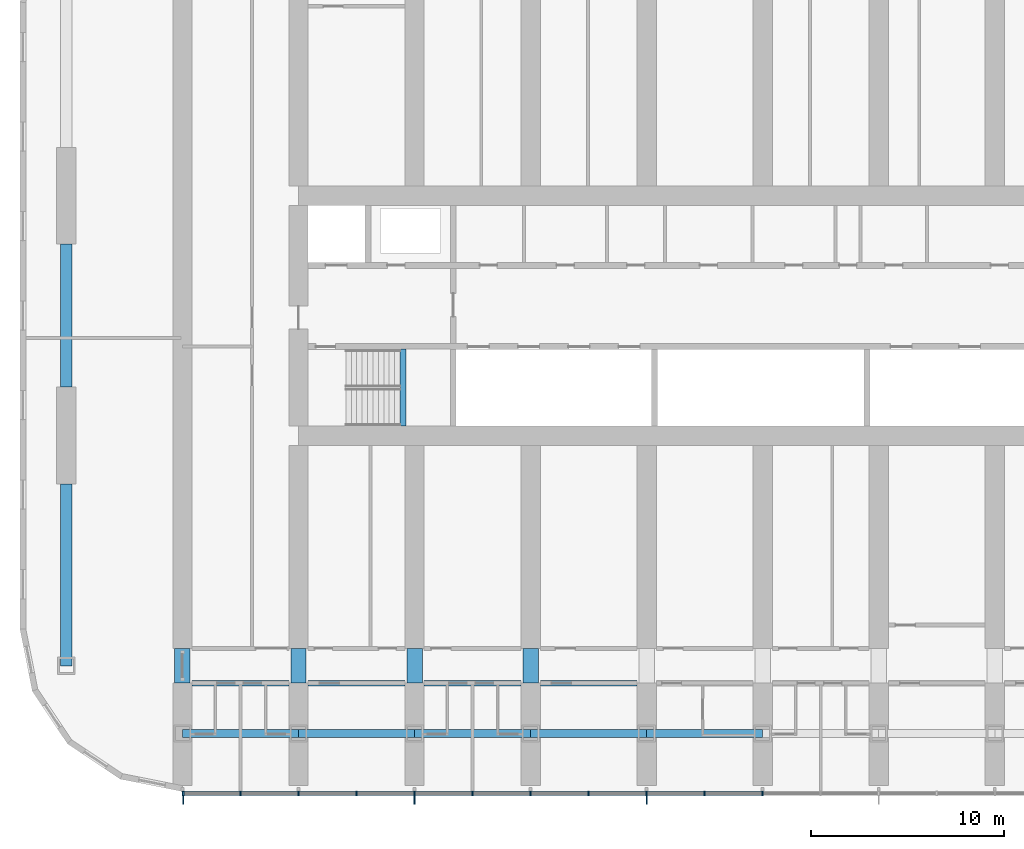
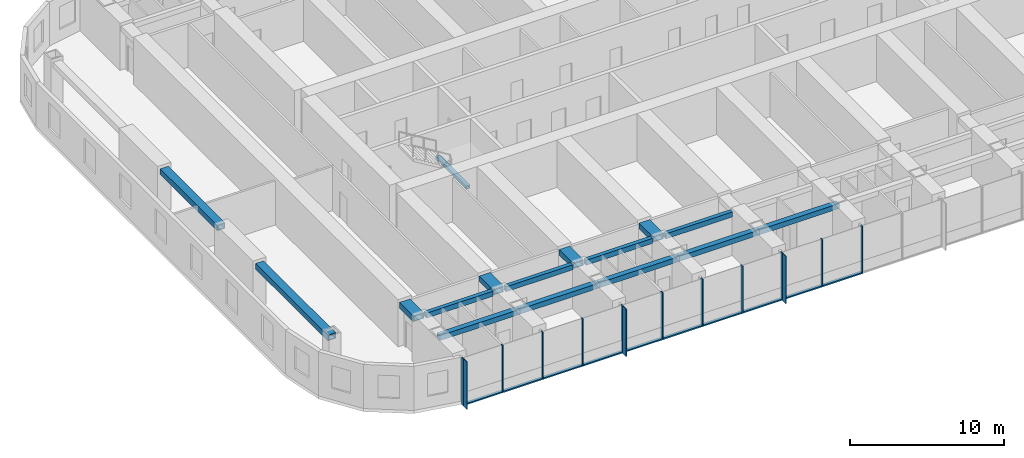
# One storey, part 2 of 23: 24 members, 16 beams, 1 element without a shape of its own.
"""IFC4 building model written with IfcOpenShell, lengths in metres."""

from ifc_helpers import new_model, si_unit, direction, frame, origin, origin_2d, place, context, subcontext, project, spatial, rectangle, hollow_rectangle, extrude, material, material_profile, profile_set, type_object, element, aggregate, save


model = new_model("IFC4")

# Units and contexts
model_context = context("Model", 3, precision=1e-05, world=origin(), true_north=direction((0.0, 1.0)))
body_context = subcontext(model_context, "Body", "Model", "MODEL_VIEW")
ifc_project = project(units=[si_unit("LENGTHUNIT", "METRE"), si_unit("AREAUNIT", "SQUARE_METRE"), si_unit("VOLUMEUNIT", "CUBIC_METRE"), si_unit("PLANEANGLEUNIT", "RADIAN"), si_unit("MASSUNIT", "GRAM", prefix="KILO")], contexts=[model_context])

# Site, building, storey
site_placement = place(None, origin())
site = spatial("IfcSite", under=ifc_project, at=site_placement, CompositionType="ELEMENT")
building_placement = place(site_placement, origin())
building = spatial("IfcBuilding", under=site, at=building_placement, Name="Orbita Commons", CompositionType="ELEMENT")
storey_placement = place(building_placement, frame((0.0, 0.0, 61.449951171875)))
storey = spatial("IfcBuildingStorey", under=building, at=storey_placement, Name="L15", CompositionType="ELEMENT", Elevation=61.449951171875)

# Curtain wall, members
ifc_material_1 = material(Name="Anodised aluminium frame, pale silver", Category="aluminium")
curtain_wall_type = type_object("IfcCurtainWallType", Name="Unitised curtain wall CW-T, vision and spandrel", PredefinedType="NOTDEFINED", material=ifc_material_1)
curtain_wall_placement = place(storey_placement, origin())
curtain_wall = element("IfcCurtainWall", 1, at=curtain_wall_placement, inside=storey, type_object=curtain_wall_type, Name="Curtain wall south L15", PredefinedType="NOTDEFINED")
ifc_material_2 = material(Name="Anodised aluminium, pale silver", Category="aluminium")
ifc_material_profile_1 = material_profile(ifc_material_2, rectangle(XDim=0.080078125, YDim=0.219970703125, at=origin_2d()), Name="AL 80x220")
ifc_profile_set_1 = profile_set([ifc_material_profile_1], Name="Anodised aluminium, pale silver")
member_type_1 = type_object("IfcMemberType", Name="Curtain wall mullion 80x220", PredefinedType="MULLION", material=ifc_profile_set_1)
member_1_placement = place(storey_placement, frame((12.0400390625, 7.2900390625, -0.25), z_axis=(0.0, 0.0, 1.0), x_axis=(1.0, 0.0, 0.0)))
member_1 = element("IfcMember", 2, at=member_1_placement, type_object=member_type_1, Name="Mullion 1 CW-L15-S", PredefinedType="MULLION", context=body_context, shape_type="SweptSolid", body=[
    extrude(rectangle(XDim=0.080078125, YDim=0.219970703125, at=origin_2d()), origin(), (0.0, 0.0, 1.0), 3.75),
])
member_2_placement = place(storey_placement, frame((15.0, 7.2900390625, -0.25), z_axis=(0.0, 0.0, 1.0), x_axis=(1.0, 0.0, 0.0)))
member_2 = element("IfcMember", 3, at=member_2_placement, type_object=member_type_1, Name="Mullion 2 CW-L15-S", PredefinedType="MULLION", context=body_context, shape_type="SweptSolid", body=[
    extrude(rectangle(XDim=0.080078125, YDim=0.219970703125, at=origin_2d()), origin(), (0.0, 0.0, 1.0), 3.75),
])
member_3_placement = place(storey_placement, frame((18.0, 7.2900390625, -0.25), z_axis=(0.0, 0.0, 1.0), x_axis=(1.0, 0.0, 0.0)))
member_3 = element("IfcMember", 4, at=member_3_placement, type_object=member_type_1, Name="Mullion 3 CW-L15-S", PredefinedType="MULLION", context=body_context, shape_type="SweptSolid", body=[
    extrude(rectangle(XDim=0.080078125, YDim=0.219970703125, at=origin_2d()), origin(), (0.0, 0.0, 1.0), 3.75),
])
member_4_placement = place(storey_placement, frame((21.0, 7.2900390625, -0.25), z_axis=(0.0, 0.0, 1.0), x_axis=(1.0, 0.0, 0.0)))
member_4 = element("IfcMember", 5, at=member_4_placement, type_object=member_type_1, Name="Mullion 4 CW-L15-S", PredefinedType="MULLION", context=body_context, shape_type="SweptSolid", body=[
    extrude(rectangle(XDim=0.080078125, YDim=0.219970703125, at=origin_2d()), origin(), (0.0, 0.0, 1.0), 3.75),
])
member_5_placement = place(storey_placement, frame((24.0, 7.2900390625, -0.25), z_axis=(0.0, 0.0, 1.0), x_axis=(1.0, 0.0, 0.0)))
member_5 = element("IfcMember", 6, at=member_5_placement, type_object=member_type_1, Name="Mullion 5 CW-L15-S", PredefinedType="MULLION", context=body_context, shape_type="SweptSolid", body=[
    extrude(rectangle(XDim=0.080078125, YDim=0.219970703125, at=origin_2d()), origin(), (0.0, 0.0, 1.0), 3.75),
])
member_6_placement = place(storey_placement, frame((27.0, 7.2900390625, -0.25), z_axis=(0.0, 0.0, 1.0), x_axis=(1.0, 0.0, 0.0)))
member_6 = element("IfcMember", 7, at=member_6_placement, type_object=member_type_1, Name="Mullion 6 CW-L15-S", PredefinedType="MULLION", context=body_context, shape_type="SweptSolid", body=[
    extrude(rectangle(XDim=0.080078125, YDim=0.219970703125, at=origin_2d()), origin(), (0.0, 0.0, 1.0), 3.75),
])
member_7_placement = place(storey_placement, frame((30.0, 7.2900390625, -0.25), z_axis=(0.0, 0.0, 1.0), x_axis=(1.0, 0.0, 0.0)))
member_7 = element("IfcMember", 8, at=member_7_placement, type_object=member_type_1, Name="Mullion 7 CW-L15-S", PredefinedType="MULLION", context=body_context, shape_type="SweptSolid", body=[
    extrude(rectangle(XDim=0.080078125, YDim=0.219970703125, at=origin_2d()), origin(), (0.0, 0.0, 1.0), 3.75),
])
member_8_placement = place(storey_placement, frame((33.0, 7.2900390625, -0.25), z_axis=(0.0, 0.0, 1.0), x_axis=(1.0, 0.0, 0.0)))
member_8 = element("IfcMember", 9, at=member_8_placement, type_object=member_type_1, Name="Mullion 8 CW-L15-S", PredefinedType="MULLION", context=body_context, shape_type="SweptSolid", body=[
    extrude(rectangle(XDim=0.080078125, YDim=0.219970703125, at=origin_2d()), origin(), (0.0, 0.0, 1.0), 3.75),
])
member_9_placement = place(storey_placement, frame((36.0, 7.2900390625, -0.25), z_axis=(0.0, 0.0, 1.0), x_axis=(1.0, 0.0, 0.0)))
member_9 = element("IfcMember", 10, at=member_9_placement, type_object=member_type_1, Name="Mullion 9 CW-L15-S", PredefinedType="MULLION", context=body_context, shape_type="SweptSolid", body=[
    extrude(rectangle(XDim=0.080078125, YDim=0.219970703125, at=origin_2d()), origin(), (0.0, 0.0, 1.0), 3.75),
])
member_10_placement = place(storey_placement, frame((39.0, 7.2900390625, -0.25), z_axis=(0.0, 0.0, 1.0), x_axis=(1.0, 0.0, 0.0)))
member_10 = element("IfcMember", 11, at=member_10_placement, type_object=member_type_1, Name="Mullion 10 CW-L15-S", PredefinedType="MULLION", context=body_context, shape_type="SweptSolid", body=[
    extrude(rectangle(XDim=0.080078125, YDim=0.219970703125, at=origin_2d()), origin(), (0.0, 0.0, 1.0), 3.75),
])
member_11_placement = place(storey_placement, frame((42.0, 7.2900390625, -0.25), z_axis=(0.0, 0.0, 1.0), x_axis=(1.0, 0.0, 0.0)))
member_11 = element("IfcMember", 12, at=member_11_placement, type_object=member_type_1, Name="Mullion 11 CW-L15-S", PredefinedType="MULLION", context=body_context, shape_type="SweptSolid", body=[
    extrude(rectangle(XDim=0.080078125, YDim=0.219970703125, at=origin_2d()), origin(), (0.0, 0.0, 1.0), 3.75),
])
ifc_material_3 = material(Name="Anodised aluminium, pale silver", Category="aluminium")
ifc_material_profile_2 = material_profile(ifc_material_3, rectangle(XDim=0.219970703125, YDim=0.10009765625, at=origin_2d()), Name="AL 220x100")
ifc_profile_set_2 = profile_set([ifc_material_profile_2], Name="Anodised aluminium, pale silver")
member_type_2 = type_object("IfcMemberType", Name="Curtain wall stack transom 220x100", PredefinedType="USERDEFINED", material=ifc_profile_set_2)
member_12_placement = place(storey_placement, frame((12.080078125, 7.2900390625, -0.199951171875), z_axis=(1.0, 0.0, 0.0), x_axis=(0.0, 1.0, 0.0)))
member_12 = element("IfcMember", 13, at=member_12_placement, type_object=member_type_2, Name="Transom 1.1 CW-L15-S", ObjectType="TRANSOM", PredefinedType="USERDEFINED", context=body_context, shape_type="SweptSolid", body=[
    extrude(rectangle(XDim=0.219970703125, YDim=0.10009765625, at=origin_2d()), origin(), (0.0, 0.0, 1.0), 2.8798828125),
])
member_13_placement = place(storey_placement, frame((15.0400390625, 7.2900390625, -0.199951171875), z_axis=(1.0, 0.0, 0.0), x_axis=(0.0, 1.0, 0.0)))
member_13 = element("IfcMember", 14, at=member_13_placement, type_object=member_type_2, Name="Transom 2.1 CW-L15-S", ObjectType="TRANSOM", PredefinedType="USERDEFINED", context=body_context, shape_type="SweptSolid", body=[
    extrude(rectangle(XDim=0.219970703125, YDim=0.10009765625, at=origin_2d()), origin(), (0.0, 0.0, 1.0), 2.919921875),
])
member_14_placement = place(storey_placement, frame((18.0400390625, 7.2900390625, -0.199951171875), z_axis=(1.0, 0.0, 0.0), x_axis=(0.0, 1.0, 0.0)))
member_14 = element("IfcMember", 15, at=member_14_placement, type_object=member_type_2, Name="Transom 3.1 CW-L15-S", ObjectType="TRANSOM", PredefinedType="USERDEFINED", context=body_context, shape_type="SweptSolid", body=[
    extrude(rectangle(XDim=0.219970703125, YDim=0.10009765625, at=origin_2d()), origin(), (0.0, 0.0, 1.0), 2.919921875),
])
member_15_placement = place(storey_placement, frame((21.0400390625, 7.2900390625, -0.199951171875), z_axis=(1.0, 0.0, 0.0), x_axis=(0.0, 1.0, 0.0)))
member_15 = element("IfcMember", 16, at=member_15_placement, type_object=member_type_2, Name="Transom 4.1 CW-L15-S", ObjectType="TRANSOM", PredefinedType="USERDEFINED", context=body_context, shape_type="SweptSolid", body=[
    extrude(rectangle(XDim=0.219970703125, YDim=0.10009765625, at=origin_2d()), origin(), (0.0, 0.0, 1.0), 2.919921875),
])
member_16_placement = place(storey_placement, frame((24.0400390625, 7.2900390625, -0.199951171875), z_axis=(1.0, 0.0, 0.0), x_axis=(0.0, 1.0, 0.0)))
member_16 = element("IfcMember", 17, at=member_16_placement, type_object=member_type_2, Name="Transom 5.1 CW-L15-S", ObjectType="TRANSOM", PredefinedType="USERDEFINED", context=body_context, shape_type="SweptSolid", body=[
    extrude(rectangle(XDim=0.219970703125, YDim=0.10009765625, at=origin_2d()), origin(), (0.0, 0.0, 1.0), 2.919921875),
])
member_17_placement = place(storey_placement, frame((27.0400390625, 7.2900390625, -0.199951171875), z_axis=(1.0, 0.0, 0.0), x_axis=(0.0, 1.0, 0.0)))
member_17 = element("IfcMember", 18, at=member_17_placement, type_object=member_type_2, Name="Transom 6.1 CW-L15-S", ObjectType="TRANSOM", PredefinedType="USERDEFINED", context=body_context, shape_type="SweptSolid", body=[
    extrude(rectangle(XDim=0.219970703125, YDim=0.10009765625, at=origin_2d()), origin(), (0.0, 0.0, 1.0), 2.919921875),
])
member_18_placement = place(storey_placement, frame((30.0400390625, 7.2900390625, -0.199951171875), z_axis=(1.0, 0.0, 0.0), x_axis=(0.0, 1.0, 0.0)))
member_18 = element("IfcMember", 19, at=member_18_placement, type_object=member_type_2, Name="Transom 7.1 CW-L15-S", ObjectType="TRANSOM", PredefinedType="USERDEFINED", context=body_context, shape_type="SweptSolid", body=[
    extrude(rectangle(XDim=0.219970703125, YDim=0.10009765625, at=origin_2d()), origin(), (0.0, 0.0, 1.0), 2.919921875),
])
member_19_placement = place(storey_placement, frame((33.0400390625, 7.2900390625, -0.199951171875), z_axis=(1.0, 0.0, 0.0), x_axis=(0.0, 1.0, 0.0)))
member_19 = element("IfcMember", 20, at=member_19_placement, type_object=member_type_2, Name="Transom 8.1 CW-L15-S", ObjectType="TRANSOM", PredefinedType="USERDEFINED", context=body_context, shape_type="SweptSolid", body=[
    extrude(rectangle(XDim=0.219970703125, YDim=0.10009765625, at=origin_2d()), origin(), (0.0, 0.0, 1.0), 2.919921875),
])
member_20_placement = place(storey_placement, frame((36.0400390625, 7.2900390625, -0.199951171875), z_axis=(1.0, 0.0, 0.0), x_axis=(0.0, 1.0, 0.0)))
member_20 = element("IfcMember", 21, at=member_20_placement, type_object=member_type_2, Name="Transom 9.1 CW-L15-S", ObjectType="TRANSOM", PredefinedType="USERDEFINED", context=body_context, shape_type="SweptSolid", body=[
    extrude(rectangle(XDim=0.219970703125, YDim=0.10009765625, at=origin_2d()), origin(), (0.0, 0.0, 1.0), 2.919921875),
])
member_21_placement = place(storey_placement, frame((39.0400390625, 7.2900390625, -0.199951171875), z_axis=(1.0, 0.0, 0.0), x_axis=(0.0, 1.0, 0.0)))
member_21 = element("IfcMember", 22, at=member_21_placement, type_object=member_type_2, Name="Transom 10.1 CW-L15-S", ObjectType="TRANSOM", PredefinedType="USERDEFINED", context=body_context, shape_type="SweptSolid", body=[
    extrude(rectangle(XDim=0.219970703125, YDim=0.10009765625, at=origin_2d()), origin(), (0.0, 0.0, 1.0), 2.919921875),
])

# Beams
ifc_material_4 = material(Name="Steel ASTM A572 Gr 50 welded plate", Category="steel")
ifc_material_profile_3 = material_profile(ifc_material_4, hollow_rectangle(XDim=0.300048828125, YDim=0.25, WallThickness=0.02490234375, at=origin_2d()), Name="BOX 250x300x25")
ifc_profile_set_3 = profile_set([ifc_material_profile_3], Name="Steel ASTM A572 Gr 50 welded plate")
beam_type_1 = type_object("IfcBeamType", Name="Stair landing beam steel BOX 250x300x25", PredefinedType="BEAM", material=ifc_profile_set_3)
beam_1_placement = place(storey_placement, frame((23.39990234375, 26.284912109375, 1.550048828125), z_axis=(0.0, 1.0, 0.0), x_axis=(-1.0, 0.0, 0.0)))
element("IfcBeam", 23, at=beam_1_placement, inside=storey, type_object=beam_type_1, Name="Stair S1 landing beam L15 1", PredefinedType="BEAM", context=body_context, shape_type="SweptSolid", body=[
    extrude(hollow_rectangle(XDim=0.300048828125, YDim=0.25, WallThickness=0.02490234375, at=origin_2d()), origin(), (0.0, 0.0, 1.0), 3.97998046875),
])
ifc_material_5 = material(Name="Steel ASTM A572 Gr 50 welded plate", Category="steel")
ifc_material_profile_4 = material_profile(ifc_material_5, hollow_rectangle(XDim=0.300048828125, YDim=0.39990234375, WallThickness=0.0400390625, at=origin_2d()), Name="BOX 400x300x40")
ifc_profile_set_4 = profile_set([ifc_material_profile_4], Name="Steel ASTM A572 Gr 50 welded plate")
beam_type_2 = type_object("IfcBeamType", Name="Steel corridor link BOX 400x300x40", PredefinedType="BEAM", material=ifc_profile_set_4)
for number, where, z_axis, x_axis, name in (
    (24, (12.5, 13.0, 3.300048828125), (1.0, 0.0, 0.0), (0.0, 1.0, 0.0), "Corridor beam SA 3-4 L15"),
    (25, (18.5, 13.0, 3.300048828125), (1.0, 0.0, 0.0), (0.0, 1.0, 0.0), "Corridor beam SA 4-5 L15"),
    (26, (24.5, 13.0, 3.300048828125), (1.0, 0.0, 0.0), (0.0, 1.0, 0.0), "Corridor beam SA 5-6 L15"),
    (27, (30.5, 13.0, 3.300048828125), (1.0, 0.0, 0.0), (0.0, 1.0, 0.0), "Corridor beam SA 6-7 L15"),
):
    element("IfcBeam", number, at=place(storey_placement, frame(where, z_axis=z_axis, x_axis=x_axis)), inside=storey, type_object=beam_type_2, Name=name, PredefinedType="BEAM", context=body_context, shape_type="SweptSolid", body=[
        extrude(hollow_rectangle(XDim=0.300048828125, YDim=0.39990234375, WallThickness=0.0400390625, at=origin_2d()), origin(), (0.0, 0.0, 1.0), 5.0),
    ])
ifc_material_6 = material(Name="Steel ASTM A572 Gr 50 welded plate", Category="steel")
ifc_material_profile_5 = material_profile(ifc_material_6, hollow_rectangle(XDim=0.800048828125, YDim=0.449951171875, WallThickness=0.06005859375, at=origin_2d()), Name="BOX 450x800x60")
ifc_profile_set_5 = profile_set([ifc_material_profile_5], Name="Steel ASTM A572 Gr 50 welded plate")
beam_type_3 = type_object("IfcBeamType", Name="Steel coupling link BOX 450x800x60", PredefinedType="LINTEL", material=ifc_profile_set_5)
for number, where, z_axis, x_axis, name in (
    (28, (12.0, 13.0, 3.275146484375), (0.0, 1.0, 0.0), (-1.0, 0.0, 0.0), "Coupling beam 3 south L15"),
    (29, (18.0, 13.0, 3.275146484375), (0.0, 1.0, 0.0), (-1.0, 0.0, 0.0), "Coupling beam 4 south L15"),
    (30, (24.0, 13.0, 3.275146484375), (0.0, 1.0, 0.0), (-1.0, 0.0, 0.0), "Coupling beam 5 south L15"),
    (31, (30.0, 13.0, 3.275146484375), (0.0, 1.0, 0.0), (-1.0, 0.0, 0.0), "Coupling beam 6 south L15"),
):
    element("IfcBeam", number, at=place(storey_placement, frame(where, z_axis=z_axis, x_axis=x_axis)), inside=storey, type_object=beam_type_3, Name=name, PredefinedType="LINTEL", context=body_context, shape_type="SweptSolid", body=[
        extrude(hollow_rectangle(XDim=0.800048828125, YDim=0.449951171875, WallThickness=0.06005859375, at=origin_2d()), origin(), (0.0, 0.0, 1.0), 1.800048828125),
    ])
ifc_material_7 = material(Name="Steel ASTM A572 Gr 50 welded plate", Category="steel")
ifc_material_profile_6 = material_profile(ifc_material_7, hollow_rectangle(XDim=0.60009765625, YDim=0.449951171875, WallThickness=0.06005859375, at=origin_2d()), Name="BOX 450x600x60")
ifc_profile_set_6 = profile_set([ifc_material_profile_6], Name="Steel ASTM A572 Gr 50 welded plate")
beam_type_4 = type_object("IfcBeamType", Name="Steel end frame link BOX 450x600x60", PredefinedType="BEAM", material=ifc_profile_set_6)
beam_2_placement = place(storey_placement, frame((6.0, 13.89990234375, 3.275146484375), z_axis=(0.0, 1.0, 0.0), x_axis=(-1.0, 0.0, 0.0)))
element("IfcBeam", 32, at=beam_2_placement, inside=storey, type_object=beam_type_4, Name="End frame beam 2 B-C L15", PredefinedType="BEAM", context=body_context, shape_type="SweptSolid", body=[
    extrude(hollow_rectangle(XDim=0.60009765625, YDim=0.449951171875, WallThickness=0.06005859375, at=origin_2d()), origin(), (0.0, 0.0, 1.0), 9.400146484375),
])
beam_3_placement = place(storey_placement, frame((6.0, 28.300048828125, 3.275146484375), z_axis=(0.0, 1.0, 0.0), x_axis=(-1.0, 0.0, 0.0)))
element("IfcBeam", 33, at=beam_3_placement, inside=storey, type_object=beam_type_4, Name="End frame beam 2 C-D L15", PredefinedType="BEAM", context=body_context, shape_type="SweptSolid", body=[
    extrude(hollow_rectangle(XDim=0.60009765625, YDim=0.449951171875, WallThickness=0.06005859375, at=origin_2d()), origin(), (0.0, 0.0, 1.0), 7.39990234375),
])
ifc_material_8 = material(Name="Steel ASTM A572 Gr 50 welded plate", Category="steel")
ifc_material_profile_7 = material_profile(ifc_material_8, hollow_rectangle(XDim=0.39990234375, YDim=0.39990234375, WallThickness=0.0400390625, at=origin_2d()), Name="BOX 400x400x40")
ifc_profile_set_7 = profile_set([ifc_material_profile_7], Name="Steel ASTM A572 Gr 50 welded plate")
beam_type_5 = type_object("IfcBeamType", Name="Steel spandrel BOX 400x400x40", PredefinedType="SPANDREL", material=ifc_profile_set_7)
for number, where, z_axis, x_axis, name in (
    (34, (12.0, 10.39990234375, 3.300048828125), (1.0, 0.0, 0.0), (0.0, 1.0, 0.0), "Spandrel beam B 3-4 L15"),
    (35, (18.0, 10.39990234375, 3.300048828125), (1.0, 0.0, 0.0), (0.0, 1.0, 0.0), "Spandrel beam B 4-5 L15"),
    (36, (24.0, 10.39990234375, 3.300048828125), (1.0, 0.0, 0.0), (0.0, 1.0, 0.0), "Spandrel beam B 5-6 L15"),
    (37, (30.0, 10.39990234375, 3.300048828125), (1.0, 0.0, 0.0), (0.0, 1.0, 0.0), "Spandrel beam B 6-7 L15"),
    (38, (36.0, 10.39990234375, 3.300048828125), (1.0, 0.0, 0.0), (0.0, 1.0, 0.0), "Spandrel beam B 7-8 L15"),
):
    element("IfcBeam", number, at=place(storey_placement, frame(where, z_axis=z_axis, x_axis=x_axis)), inside=storey, type_object=beam_type_5, Name=name, PredefinedType="SPANDREL", context=body_context, shape_type="SweptSolid", body=[
        extrude(hollow_rectangle(XDim=0.39990234375, YDim=0.39990234375, WallThickness=0.0400390625, at=origin_2d()), origin(), (0.0, 0.0, 1.0), 6.0),
    ])

# Member
ifc_material_9 = material(Name="Anodised aluminium, pale silver", Category="aluminium")
ifc_material_profile_8 = material_profile(ifc_material_9, rectangle(XDim=0.06005859375, YDim=0.449951171875, at=origin_2d()), Name="FIN 60x450")
ifc_profile_set_8 = profile_set([ifc_material_profile_8], Name="Anodised aluminium, pale silver")
member_type_3 = type_object("IfcMemberType", Name="Vertical fin 60x450 pale aluminium", PredefinedType="USERDEFINED", material=ifc_profile_set_8)
member_22_placement = place(storey_placement, frame((12.0400390625, 6.955078125, -0.25), z_axis=(0.0, 0.0, 1.0), x_axis=(1.0, 0.0, 0.0)))
member_22 = element("IfcMember", 39, at=member_22_placement, type_object=member_type_3, Name="Fin 1 CW-L15-S", ObjectType="FIN", PredefinedType="USERDEFINED", context=body_context, shape_type="SweptSolid", body=[
    extrude(rectangle(XDim=0.06005859375, YDim=0.449951171875, at=origin_2d()), origin(), (0.0, 0.0, 1.0), 3.75),
])

member_23_placement = place(storey_placement, frame((24.0, 6.955078125, -0.25), z_axis=(0.0, 0.0, 1.0), x_axis=(1.0, 0.0, 0.0)))
member_23 = element("IfcMember", 40, at=member_23_placement, type_object=member_type_3, Name="Fin 5 CW-L15-S", ObjectType="FIN", PredefinedType="USERDEFINED", context=body_context, shape_type="SweptSolid", body=[
    extrude(rectangle(XDim=0.06005859375, YDim=0.449951171875, at=origin_2d()), origin(), (0.0, 0.0, 1.0), 3.75),
])

member_24_placement = place(storey_placement, frame((36.0, 6.955078125, -0.25), z_axis=(0.0, 0.0, 1.0), x_axis=(1.0, 0.0, 0.0)))
member_24 = element("IfcMember", 41, at=member_24_placement, type_object=member_type_3, Name="Fin 9 CW-L15-S", ObjectType="FIN", PredefinedType="USERDEFINED", context=body_context, shape_type="SweptSolid", body=[
    extrude(rectangle(XDim=0.06005859375, YDim=0.449951171875, at=origin_2d()), origin(), (0.0, 0.0, 1.0), 3.75),
])

aggregate(curtain_wall, [member_1, member_22, member_2, member_3, member_4, member_5, member_23, member_6, member_7, member_8, member_9, member_24, member_10, member_11, member_12, member_13, member_14, member_15, member_16, member_17, member_18, member_19, member_20, member_21])

save(model, "model.ifc")
